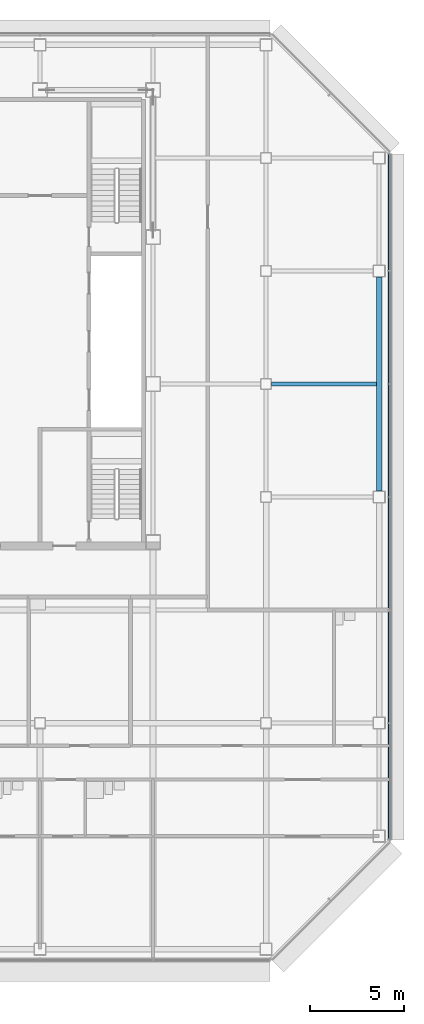
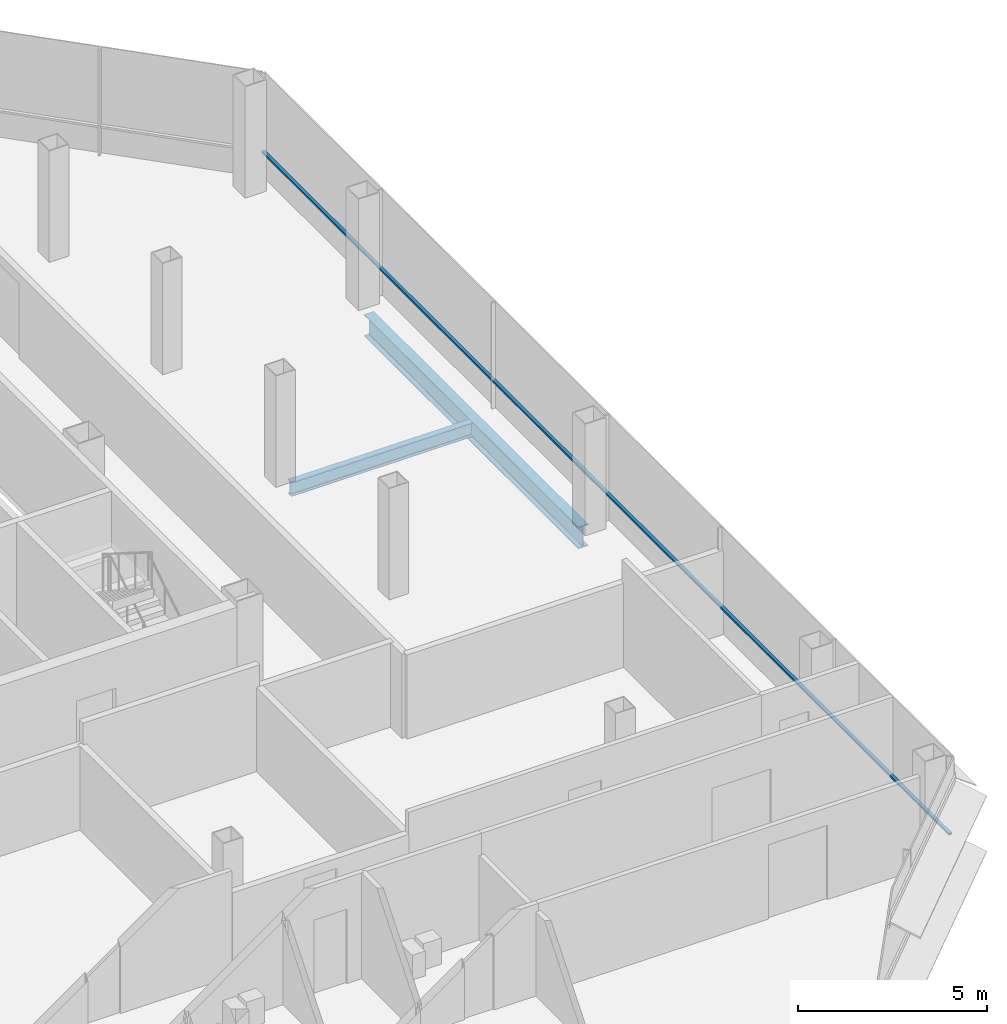
# One storey, part 17 of 26: 2 beams, 1 member, 1 element without a shape of its own.
"""IFC4 building model written with IfcOpenShell, lengths in metres."""

import ifcopenshell
import ifcopenshell.guid

model = None  # the IFC model being written
_history = None  # IfcOwnerHistory: only IFC2X3 demands one
_inside = {}  # id of a spatial element -> (the spatial element, [elements in it])
_under = {}  # id of a project, library or spatial element -> (it, [spatial elements below it])
_declared = {}  # id of a project -> (the project, [libraries it declares])
_typed = {}  # id of a type object -> (the type object, [elements of that type])
_made_of = {}  # id of a material, layer set ... -> (it, [elements and type objects made of it])


def new_model(schema):
    """Start an empty IFC model of exactly this schema.

    Asked for "IFC4X3", IfcOpenShell would pick the latest addendum, in which some entities
    have other attributes; the version numbers below select the first issue.
    IFC2X3 requires an IfcOwnerHistory on every rooted entity: one is made here for all.
    """
    global model, _history
    if schema == "IFC4X3":
        model = ifcopenshell.file(schema_version=(4, 3, 0, 0))
    else:
        model = ifcopenshell.file(schema=schema)
    _inside.clear()
    _under.clear()
    _declared.clear()
    _typed.clear()
    _made_of.clear()
    _history = None
    if model.schema == "IFC2X3":
        org = make("IfcOrganization", Name="unknown")
        user = make(
            "IfcPersonAndOrganization",
            ThePerson=make("IfcPerson", FamilyName="unknown"),
            TheOrganization=org,
        )
        app = make(
            "IfcApplication",
            ApplicationDeveloper=org,
            Version="unknown",
            ApplicationFullName="unknown",
            ApplicationIdentifier="unknown",
        )
        _history = make(
            "IfcOwnerHistory",
            OwningUser=user,
            OwningApplication=app,
            ChangeAction="ADDED",
            CreationDate=0,
        )
    return model


def make(cls, **values):
    """One entity of the class cls with the attributes given. An attribute that is None is left unset."""
    return model.create_entity(
        cls, **{name: value for name, value in values.items() if value is not None}
    )


def rooted(cls, **values):
    """An entity with a GlobalId (a new one), such as an element, a storey or a relation."""
    return make(cls, GlobalId=ifcopenshell.guid.new(), OwnerHistory=_history, **values)


def si_unit(unit_type, name, prefix=None):
    """IfcSIUnit, for example si_unit("LENGTHUNIT", "METRE", prefix="MILLI")."""
    return make("IfcSIUnit", UnitType=unit_type, Prefix=prefix, Name=name)


def assignment(units):
    """IfcUnitAssignment: the units of a project."""
    return None if units is None else make("IfcUnitAssignment", Units=units)


def point(xyz):
    """IfcCartesianPoint."""
    return None if xyz is None else make("IfcCartesianPoint", Coordinates=xyz)


def direction(xyz):
    """IfcDirection."""
    return None if xyz is None else make("IfcDirection", DirectionRatios=xyz)


def frame(location, z_axis=None, x_axis=None):
    """IfcAxis2Placement3D, a coordinate frame: its origin and axes. An axis left out is left unset."""
    return make(
        "IfcAxis2Placement3D",
        Location=point(location),
        Axis=direction(z_axis),
        RefDirection=direction(x_axis),
    )


def frame_2d(location, x_axis=None):
    """IfcAxis2Placement2D, a coordinate frame in the plane: its origin and x axis."""
    return make(
        "IfcAxis2Placement2D", Location=point(location), RefDirection=direction(x_axis)
    )


def origin():
    """The frame at (0, 0, 0) with its axes left unset."""
    return frame((0.0, 0.0, 0.0))


def origin_2d():
    """The frame at (0, 0) in the plane with its x axis left unset."""
    return frame_2d((0.0, 0.0))


def place(relative_to, where):
    """IfcLocalPlacement: puts the frame where relative to a parent placement (None: the world)."""
    return make(
        "IfcLocalPlacement", PlacementRelTo=relative_to, RelativePlacement=where
    )


def context(
    kind, dimensions, precision=None, world=None, true_north=None, identifier=None
):
    """IfcGeometricRepresentationContext, for example the 3D "Model" context."""
    return make(
        "IfcGeometricRepresentationContext",
        ContextIdentifier=identifier,
        ContextType=kind,
        CoordinateSpaceDimension=dimensions,
        Precision=precision,
        WorldCoordinateSystem=world,
        TrueNorth=true_north,
    )


def subcontext(parent, identifier, kind, view, scale=None):
    """IfcGeometricRepresentationSubContext, for example "Body" below "Model"."""
    return make(
        "IfcGeometricRepresentationSubContext",
        ContextIdentifier=identifier,
        ContextType=kind,
        ParentContext=parent,
        TargetScale=scale,
        TargetView=view,
    )


def project(units=None, contexts=None):
    """IfcProject with its units and contexts."""
    return rooted(
        "IfcProject",
        Name="project",
        RepresentationContexts=contexts,
        UnitsInContext=assignment(units),
    )


def spatial(cls, under=None, at=None, **own):
    """A site, building, storey or space (cls), placed at a placement, below another one or the project."""
    s = rooted(cls, ObjectPlacement=at, **own)
    if under is not None:
        _under.setdefault(under.id(), (under, []))[1].append(s)
    return s


def profile(cls, at=None, kind="AREA", **sizes):
    """A parametric profile (cls). Its sizes go by their IFC names, for example OverallWidth=200.0."""
    return make(cls, ProfileType=kind, Position=at, **sizes)


def rectangle(**sizes):
    """IfcRectangleProfileDef."""
    return profile("IfcRectangleProfileDef", **sizes)


def i_section(**sizes):
    """IfcIShapeProfileDef."""
    return profile("IfcIShapeProfileDef", **sizes)


def extrude(swept, where, along, depth):
    """IfcExtrudedAreaSolid: the profile swept, set in the frame where, extruded along a direction by depth."""
    return make(
        "IfcExtrudedAreaSolid",
        SweptArea=swept,
        Position=where,
        ExtrudedDirection=direction(along),
        Depth=depth,
    )


def shape(context_of_items, identifier, shape_type, items):
    """IfcShapeRepresentation: the items that make up one representation, for example the "Body"."""
    return make(
        "IfcShapeRepresentation",
        ContextOfItems=context_of_items,
        RepresentationIdentifier=identifier,
        RepresentationType=shape_type,
        Items=items,
    )


def material(Name=None, Category=None):
    """IfcMaterial."""
    return make("IfcMaterial", Name=Name, Category=Category)


def material_profile(
    of_material, cross_section, Name=None, Category=None, Priority=None
):
    """IfcMaterialProfile: a cross section and its material."""
    return make(
        "IfcMaterialProfile",
        Name=Name,
        Material=of_material,
        Profile=cross_section,
        Priority=Priority,
        Category=Category,
    )


def profile_set(profiles, Name=None, composite=None):
    """IfcMaterialProfileSet."""
    return make(
        "IfcMaterialProfileSet",
        Name=Name,
        MaterialProfiles=profiles,
        CompositeProfile=composite,
    )


def made_of(thing, what):
    """Note that an element or type object is made of a material, layer set ...; save() writes the relation."""
    if what is not None:
        _made_of.setdefault(what.id(), (what, []))[1].append(thing)
    return thing


def type_object(cls, material=None, **own):
    """A type object (cls), such as IfcWallType, which elements share."""
    return made_of(rooted(cls, **own), material)


def element(
    cls,
    number,
    at=None,
    inside=None,
    cuts=None,
    type_object=None,
    material=None,
    context=None,
    identifier="Body",
    shape_type=None,
    held_by="IfcProductDefinitionShape",
    body=None,
    shapes=None,
    **own,
):
    """One element of the class cls, such as IfcWall. Its Tag is "e" and its number.

    at: its placement. inside: the storey or other place that contains it. cuts: it is an
    opening in that element (IfcRelVoidsElement). A single representation is given by context,
    identifier, shape_type and body (its items); several are given by shapes. held_by: the class
    of the entity that holds the representations. save() writes the other relations.
    """
    e = rooted(cls, Tag="e%d" % number, ObjectPlacement=at, **own)
    if body is not None:
        shapes = [shape(context, identifier, shape_type, body)]
    if shapes is not None:
        e.Representation = make(held_by, Representations=shapes)
    if inside is not None:
        _inside.setdefault(inside.id(), (inside, []))[1].append(e)
    if cuts is not None:
        rooted(
            "IfcRelVoidsElement", RelatingBuildingElement=cuts, RelatedOpeningElement=e
        )
    if type_object is not None:
        _typed.setdefault(type_object.id(), (type_object, []))[1].append(e)
    return made_of(e, material)


def aggregate(whole, parts):
    """IfcRelAggregates: a whole, such as a stair, and the parts it consists of."""
    return rooted("IfcRelAggregates", RelatingObject=whole, RelatedObjects=parts)


def save(model, path):
    """Write the relations noted so far, then the file.

    IfcRelAggregates (storeys below a building ...), IfcRelContainedInSpatialStructure (elements
    in a storey), IfcRelDefinesByType, IfcRelAssociatesMaterial and IfcRelDeclares: one each for
    every whole, place, type object, material and project.
    """
    for whole, parts in _under.values():
        aggregate(whole, parts)
    for where, things in _inside.values():
        rooted(
            "IfcRelContainedInSpatialStructure",
            RelatedElements=things,
            RelatingStructure=where,
        )
    for kind, things in _typed.values():
        rooted("IfcRelDefinesByType", RelatedObjects=things, RelatingType=kind)
    for what, things in _made_of.values():
        rooted("IfcRelAssociatesMaterial", RelatedObjects=things, RelatingMaterial=what)
    for by, libraries in _declared.values():
        rooted("IfcRelDeclares", RelatingContext=by, RelatedDefinitions=libraries)
    model.write(path)


model = new_model("IFC4")

# Units and contexts
model_context = context("Model", 3, precision=1e-05, world=origin(), true_north=direction((0.0, 1.0)))
body_context = subcontext(model_context, "Body", "Model", "MODEL_VIEW")
ifc_project = project(units=[si_unit("LENGTHUNIT", "METRE"), si_unit("AREAUNIT", "SQUARE_METRE"), si_unit("VOLUMEUNIT", "CUBIC_METRE"), si_unit("PLANEANGLEUNIT", "RADIAN"), si_unit("MASSUNIT", "GRAM", prefix="KILO")], contexts=[model_context])

# Site, building, storey
site_placement = place(None, origin())
site = spatial("IfcSite", under=ifc_project, at=site_placement, CompositionType="ELEMENT")
building_placement = place(site_placement, origin())
building = spatial("IfcBuilding", under=site, at=building_placement, Name="Sorahane Residences", CompositionType="ELEMENT")
storey_placement = place(building_placement, frame((0.0, 0.0, 243.199951171875)))
storey = spatial("IfcBuildingStorey", under=building, at=storey_placement, Name="L57", CompositionType="ELEMENT", Elevation=243.199951171875)

# Curtain wall, member
ifc_material_1 = material(Name="Dark low-e glass and black anodised aluminium", Category="aluminium")
curtain_wall_type = type_object("IfcCurtainWallType", Name="Curtain wall CW-1 Typical unitised wall", PredefinedType="NOTDEFINED", material=ifc_material_1)
curtain_wall_placement = place(storey_placement, origin())
curtain_wall = element("IfcCurtainWall", 1, at=curtain_wall_placement, inside=storey, type_object=curtain_wall_type, Name="CW-1 curtain wall L57 E1", PredefinedType="NOTDEFINED")
ifc_material_2 = material(Name="Black anodised aluminium", Category="aluminium")
ifc_material_profile_1 = material_profile(ifc_material_2, rectangle(XDim=0.10009765625, YDim=0.06005859375, at=origin_2d()), Name="Curtain wall transom CW-1 black anodised aluminium 60x100")
ifc_profile_set_1 = profile_set([ifc_material_profile_1], Name="Black anodised aluminium")
member_type = type_object("IfcMemberType", Name="Curtain wall transom CW-1 black anodised aluminium 60x100", PredefinedType="USERDEFINED", material=ifc_profile_set_1)
member_placement = place(storey_placement, frame((54.530029296875, 5.801513671875, 0.900146484375), z_axis=(0.0, 1.0, 0.0), x_axis=(-1.0, 0.0, 0.0)))
member = element("IfcMember", 2, at=member_placement, type_object=member_type, Name="CW-1 transom L57 E1", ObjectType="TRANSOM", PredefinedType="USERDEFINED", context=body_context, shape_type="SweptSolid", body=[
    extrude(rectangle(XDim=0.10009765625, YDim=0.06005859375, at=origin_2d()), origin(), (0.0, 0.0, 1.0), 36.39697265625),
])
aggregate(curtain_wall, [member])

# Beams
ifc_material_3 = material(Name="Steel Q355B", Category="steel")
ifc_material_profile_2 = material_profile(ifc_material_3, i_section(OverallWidth=0.199951171875, OverallDepth=0.449951171875, WebThickness=0.009033203125, FlangeThickness=0.013916015625, FilletRadius=0.02001953125, at=origin_2d()), Name="HN 450x200x9x14")
ifc_profile_set_2 = profile_set([ifc_material_profile_2], Name="Steel Q355B")
beam_type_1 = type_object("IfcBeamType", Name="Steel floor beam HN 450x200x9x14 Q355B", PredefinedType="BEAM", material=ifc_profile_set_2)
beam_1_placement = place(storey_placement, frame((48.300048828125, 30.0, -0.405029296875), z_axis=(1.0, 0.0, 0.0), x_axis=(0.0, 1.0, 0.0)))
element("IfcBeam", 3, at=beam_1_placement, inside=storey, type_object=beam_type_1, Name="Beam L57 088", PredefinedType="BEAM", context=body_context, shape_type="SweptSolid", body=[
    extrude(i_section(OverallWidth=0.199951171875, OverallDepth=0.449951171875, WebThickness=0.009033203125, FlangeThickness=0.013916015625, FilletRadius=0.02001953125, at=origin_2d()), origin(), (0.0, 0.0, 1.0), 5.550048828125),
])
ifc_material_4 = material(Name="Steel Q355B", Category="steel")
ifc_material_profile_3 = material_profile(ifc_material_4, i_section(OverallWidth=0.300048828125, OverallDepth=0.699951171875, WebThickness=0.012939453125, FlangeThickness=0.02392578125, FilletRadius=0.028076171875, at=origin_2d()), Name="HN 700x300x13x24")
ifc_profile_set_3 = profile_set([ifc_material_profile_3], Name="Steel Q355B")
beam_type_2 = type_object("IfcBeamType", Name="Steel floor beam HN 700x300x13x24 Q355B", PredefinedType="BEAM", material=ifc_profile_set_3)
beam_2_placement = place(storey_placement, frame((54.0, 24.324951171875, -0.530029296875), z_axis=(0.0, 1.0, 0.0), x_axis=(-1.0, 0.0, 0.0)))
element("IfcBeam", 4, at=beam_2_placement, inside=storey, type_object=beam_type_2, Name="Beam L57 066", PredefinedType="BEAM", context=body_context, shape_type="SweptSolid", body=[
    extrude(i_section(OverallWidth=0.300048828125, OverallDepth=0.699951171875, WebThickness=0.012939453125, FlangeThickness=0.02392578125, FilletRadius=0.028076171875, at=origin_2d()), origin(), (0.0, 0.0, 1.0), 11.35009765625),
])

save(model, "model.ifc")
